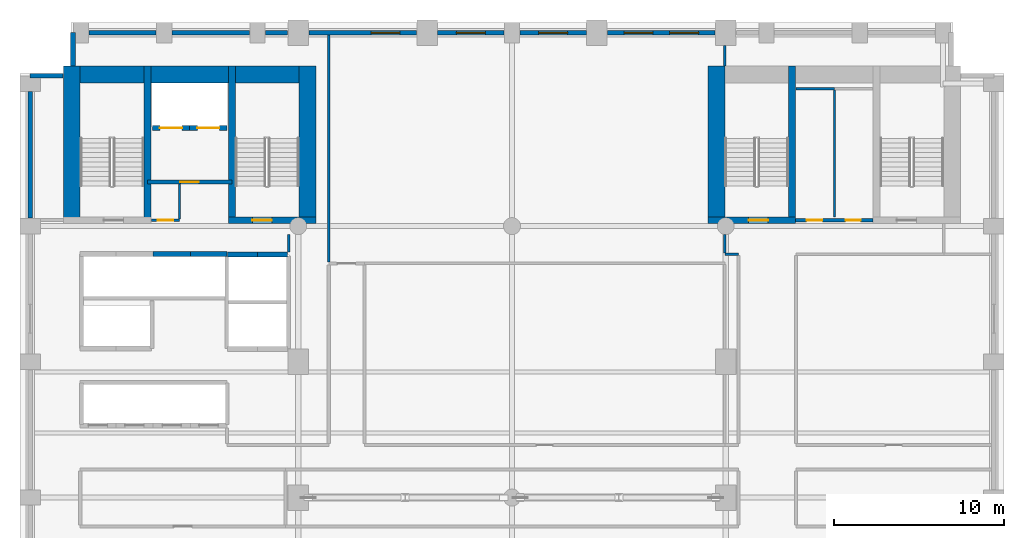
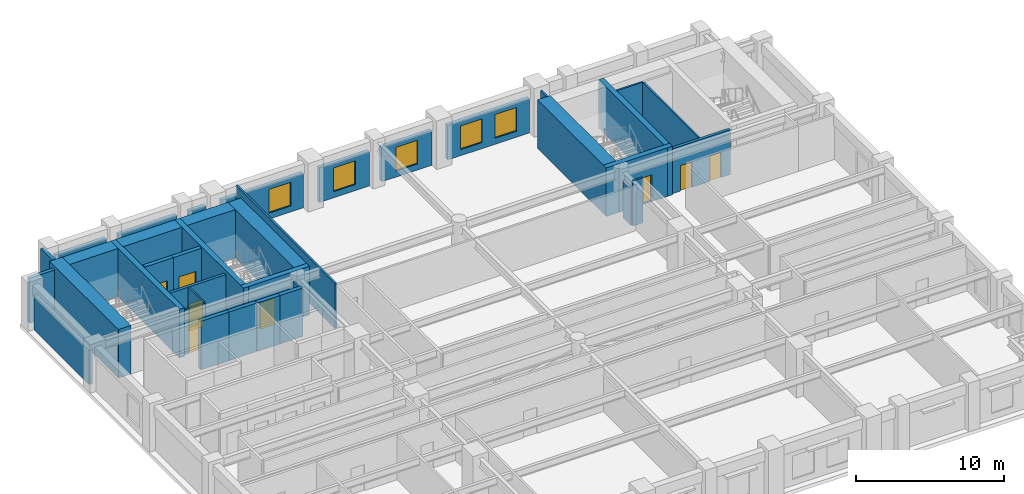
# One storey, part 7 of 11: 36 walls, 8 doors, 5 windows, 13 openings.
"""IFC4 building model written with IfcOpenShell, lengths in metres."""

from ifc_helpers import new_model, si_unit, direction, frame, frame_2d, origin, place, context, subcontext, project, spatial, rectangle, extrude, material, layer, layer_set, type_object, element, fill, save


model = new_model("IFC4")

# Units and contexts
model_context = context("Model", 3, precision=1e-05, world=origin(), true_north=direction((0.0, 1.0)))
body_context = subcontext(model_context, "Body", "Model", "MODEL_VIEW")
ifc_project = project(units=[si_unit("LENGTHUNIT", "METRE"), si_unit("AREAUNIT", "SQUARE_METRE"), si_unit("VOLUMEUNIT", "CUBIC_METRE"), si_unit("PLANEANGLEUNIT", "RADIAN"), si_unit("MASSUNIT", "GRAM", prefix="KILO")], contexts=[model_context])

# Site, building, storey
site_placement = place(None, origin())
site = spatial("IfcSite", under=ifc_project, at=site_placement, CompositionType="ELEMENT")
building_placement = place(site_placement, origin())
building = spatial("IfcBuilding", under=site, at=building_placement, Name="Sulina Concourse Tower", CompositionType="ELEMENT")
storey_placement = place(building_placement, frame((0.0, 0.0, 46.60009765625)))
storey = spatial("IfcBuildingStorey", under=building, at=storey_placement, Name="L11", CompositionType="ELEMENT", Elevation=46.60009765625)

# Walls
ifc_material_1 = material(Name="Concrete C50/60", Category="concrete")
ifc_layer_1 = layer(ifc_material_1, 0.300048828125)
ifc_layer_set_1 = layer_set([ifc_layer_1], Name="Concrete C50/60")
wall_type_1 = type_object("IfcWallType", Name="Core Lift Hoistway Wall 300mm", PredefinedType="SOLIDWALL", material=ifc_layer_set_1)
for number, where, z_axis, x_axis, name in (
    (1, (12.219970703125, 32.320068359375, 0.0), (0.0, 0.0, 1.0), (1.0, 0.0, 0.0), "L11 hoistway enclosure wall LP-07"),
    (2, (14.0, 32.320068359375, 0.0), (0.0, 0.0, 1.0), (1.0, 0.0, 0.0), "L11 hoistway enclosure wall LP-08"),
):
    element("IfcWall", number, at=place(storey_placement, frame(where, z_axis=z_axis, x_axis=x_axis)), inside=storey, type_object=wall_type_1, Name=name, PredefinedType="SOLIDWALL", context=body_context, shape_type="SweptSolid", body=[
        extrude(rectangle(XDim=1.780029296875, YDim=0.300048828125, at=frame_2d((0.89013671875, 0.0))), origin(), (0.0, 0.0, 1.0), 4.0),
    ])
wall_1_placement = place(storey_placement, frame((7.85009765625, 32.35009765625, 0.0), z_axis=(0.0, 0.0, 1.0), x_axis=(1.0, 0.0, 0.0)))
element("IfcWall", 3, at=wall_1_placement, inside=storey, type_object=wall_type_1, Name="L11 hoistway enclosure wall LP-11", PredefinedType="SOLIDWALL", context=body_context, shape_type="SweptSolid", body=[
    extrude(rectangle(XDim=2.199951171875, YDim=0.300048828125, at=frame_2d((1.10009765625, 0.0))), origin(), (0.0, 0.0, 1.0), 4.0),
])
wall_2_placement = place(storey_placement, frame((10.050048828125, 32.35009765625, 0.0), z_axis=(0.0, 0.0, 1.0), x_axis=(1.0, 0.0, 0.0)))
element("IfcWall", 4, at=wall_2_placement, inside=storey, type_object=wall_type_1, Name="L11 hoistway enclosure wall LP-12", PredefinedType="SOLIDWALL", context=body_context, shape_type="SweptSolid", body=[
    extrude(rectangle(XDim=2.14990234375, YDim=0.300048828125, at=frame_2d((1.074951171875, 0.0))), origin(), (0.0, 0.0, 1.0), 4.0),
])

# Wall, opening, door
wall_3_placement = place(storey_placement, frame((10.0, 39.780029296875, 0.0), z_axis=(0.0, 0.0, 1.0), x_axis=(-1.0, 0.0, 0.0)))
wall_3 = element("IfcWall", 5, at=wall_3_placement, inside=storey, type_object=wall_type_1, Name="L11 hoistway enclosure wall FFL-1", PredefinedType="SOLIDWALL", context=body_context, shape_type="SweptSolid", body=[
    extrude(rectangle(XDim=2.199951171875, YDim=0.300048828125, at=frame_2d((1.10009765625, 0.0))), origin(), (0.0, 0.0, 1.0), 4.0),
])
opening_1_placement = place(wall_3_placement, frame((0.449951171875, 0.0, 0.0)))
opening_1 = element("IfcOpeningElement", 6, at=opening_1_placement, cuts=wall_3, Name="Opening LD-02", PredefinedType="OPENING", context=body_context, shape_type="SweptSolid", body=[
    extrude(rectangle(XDim=1.300048828125, YDim=2.25, at=frame_2d((0.64990234375, 1.125))), frame((0.0, 0.159912109375, 0.0), z_axis=(0.0, -1.0, 0.0), x_axis=(1.0, 0.0, 0.0)), (0.0, 0.0, 1.0), 0.320068359375),
])
ifc_material_2 = material(Name="Stainless steel lift landing door", Category="steel")
ifc_layer_2 = layer(ifc_material_2, 0.050048828125)
ifc_layer_set_2 = layer_set([ifc_layer_2], Name="Stainless steel lift landing door")
door_type_1 = type_object("IfcDoorType", Name="Firefighting Lift Sliding Landing Door 1300x2250", OperationType="SLIDING_TO_RIGHT", PredefinedType="DOOR", material=ifc_layer_set_2)
door_1_placement = place(opening_1_placement, origin())
door_1 = element("IfcDoor", 7, at=door_1_placement, inside=storey, type_object=door_type_1, Name="L11 lift landing sliding door FFL-1", OperationType="SLIDING_TO_LEFT", OverallHeight=2.25, OverallWidth=1.300048828125, PredefinedType="DOOR", context=body_context, shape_type="SweptSolid", body=[
    extrude(rectangle(XDim=1.300048828125, YDim=2.25, at=frame_2d((0.64990234375, 1.125))), frame((0.0, 0.02490234375, 0.0), z_axis=(0.0, -1.0, 0.0), x_axis=(1.0, 0.0, 0.0)), (0.0, 0.0, 1.0), 0.050048828125),
])
fill(opening_1, door_1)

wall_4_placement = place(storey_placement, frame((12.199951171875, 39.780029296875, 0.0), z_axis=(0.0, 0.0, 1.0), x_axis=(-1.0, 0.0, 0.0)))
wall_4 = element("IfcWall", 8, at=wall_4_placement, inside=storey, type_object=wall_type_1, Name="L11 hoistway enclosure wall FFL-2", PredefinedType="SOLIDWALL", context=body_context, shape_type="SweptSolid", body=[
    extrude(rectangle(XDim=2.199951171875, YDim=0.300048828125, at=frame_2d((1.10009765625, 0.0))), origin(), (0.0, 0.0, 1.0), 4.0),
])
opening_2_placement = place(wall_4_placement, frame((0.449951171875, 0.0, 0.0)))
opening_2 = element("IfcOpeningElement", 9, at=opening_2_placement, cuts=wall_4, Name="Opening LD-02", PredefinedType="OPENING", context=body_context, shape_type="SweptSolid", body=[
    extrude(rectangle(XDim=1.300048828125, YDim=2.25, at=frame_2d((0.64990234375, 1.125))), frame((0.0, 0.159912109375, 0.0), z_axis=(0.0, -1.0, 0.0), x_axis=(1.0, 0.0, 0.0)), (0.0, 0.0, 1.0), 0.320068359375),
])
door_2_placement = place(opening_2_placement, origin())
door_2 = element("IfcDoor", 10, at=door_2_placement, inside=storey, type_object=door_type_1, Name="L11 lift landing sliding door FFL-2", OperationType="SLIDING_TO_RIGHT", OverallHeight=2.25, OverallWidth=1.300048828125, PredefinedType="DOOR", context=body_context, shape_type="SweptSolid", body=[
    extrude(rectangle(XDim=1.300048828125, YDim=2.25, at=frame_2d((0.64990234375, 1.125))), frame((0.0, 0.02490234375, 0.0), z_axis=(0.0, -1.0, 0.0), x_axis=(1.0, 0.0, 0.0)), (0.0, 0.0, 1.0), 0.050048828125),
])
fill(opening_2, door_2)

ifc_material_3 = material(Name="Gypsum board on steel stud", Category="steel")
ifc_layer_3 = layer(ifc_material_3, 0.219970703125)
ifc_layer_set_3 = layer_set([ifc_layer_3], Name="Gypsum board on steel stud")
wall_type_2 = type_object("IfcWallType", Name="Fire-Rated Lobby & Compartment Wall 220mm", PredefinedType="PARTITIONING", material=ifc_layer_set_3)
wall_5_placement = place(storey_placement, frame((7.510009765625, 36.60009765625, 0.0), z_axis=(0.0, 0.0, 1.0), x_axis=(1.0, 0.0, 0.0)))
wall_5 = element("IfcWall", 11, at=wall_5_placement, inside=storey, type_object=wall_type_2, Name="L11 firefighting lobby south fire wall", PredefinedType="PARTITIONING", context=body_context, shape_type="SweptSolid", body=[
    extrude(rectangle(XDim=4.97998046875, YDim=0.219970703125, at=frame_2d((2.489990234375, 0.0))), origin(), (0.0, 0.0, 1.0), 3.699951171875),
])
opening_3_placement = place(wall_5_placement, frame((1.93994140625, 0.0, 0.0)))
opening_3 = element("IfcOpeningElement", 12, at=opening_3_placement, cuts=wall_5, Name="Opening DR-47", PredefinedType="OPENING", context=body_context, shape_type="SweptSolid", body=[
    extrude(rectangle(XDim=1.10009765625, YDim=2.199951171875, at=frame_2d((0.550048828125, 1.10009765625))), frame((0.0, 0.119873046875, 0.0), z_axis=(0.0, -1.0, 0.0), x_axis=(1.0, 0.0, 0.0)), (0.0, 0.0, 1.0), 0.239990234375),
])
ifc_material_4 = material(Name="Galvanised steel acoustic fire leaf", Category="steel")
ifc_layer_4 = layer(ifc_material_4, 0.054931640625)
ifc_layer_set_4 = layer_set([ifc_layer_4], Name="Galvanised steel acoustic fire leaf")
door_type_2 = type_object("IfcDoorType", Name="Firefighting Lobby Fire Door 1100x2200", OperationType="NOTDEFINED", PredefinedType="DOOR", material=ifc_layer_set_4)
door_3_placement = place(opening_3_placement, origin())
door_3 = element("IfcDoor", 13, at=door_3_placement, inside=storey, type_object=door_type_2, Name="L11 firefighting lobby fire door", OperationType="SINGLE_SWING_RIGHT", OverallHeight=2.199951171875, OverallWidth=1.10009765625, PredefinedType="DOOR", context=body_context, shape_type="SweptSolid", body=[
    extrude(rectangle(XDim=1.10009765625, YDim=2.199951171875, at=frame_2d((0.550048828125, 1.10009765625))), frame((0.0, 0.02490234375, 0.0), z_axis=(0.0, -1.0, 0.0), x_axis=(1.0, 0.0, 0.0)), (0.0, 0.0, 1.0), 0.050048828125),
])
fill(opening_3, door_3)

# Wall, openings, doors
wall_6_placement = place(storey_placement, frame((45.719970703125, 34.35009765625, 0.0), z_axis=(0.0, 0.0, 1.0), x_axis=(1.0, 0.0, 0.0)))
wall_6 = element("IfcWall", 14, at=wall_6_placement, inside=storey, type_object=wall_type_2, Name="L11 east core south lobby wall", PredefinedType="PARTITIONING", context=body_context, shape_type="SweptSolid", body=[
    extrude(rectangle(XDim=4.56005859375, YDim=0.219970703125, at=frame_2d((2.280029296875, 0.0))), origin(), (0.0, 0.0, 1.0), 3.699951171875),
])
opening_4_placement = place(wall_6_placement, frame((0.64990234375, 0.0, 0.0)))
opening_4 = element("IfcOpeningElement", 15, at=opening_4_placement, cuts=wall_6, Name="Opening DR-61", PredefinedType="OPENING", context=body_context, shape_type="SweptSolid", body=[
    extrude(rectangle(XDim=0.919921875, YDim=2.10009765625, at=frame_2d((0.4599609375, 1.050048828125))), frame((0.0, 0.119873046875, 0.0), z_axis=(0.0, -1.0, 0.0), x_axis=(1.0, 0.0, 0.0)), (0.0, 0.0, 1.0), 0.239990234375),
])
opening_5_placement = place(wall_6_placement, frame((2.949951171875, 0.0, 0.0)))
opening_5 = element("IfcOpeningElement", 16, at=opening_5_placement, cuts=wall_6, Name="Opening DR-38", PredefinedType="OPENING", context=body_context, shape_type="SweptSolid", body=[
    extrude(rectangle(XDim=0.8798828125, YDim=2.10009765625, at=frame_2d((0.43994140625, 1.050048828125))), frame((0.0, 0.119873046875, 0.0), z_axis=(0.0, -1.0, 0.0), x_axis=(1.0, 0.0, 0.0)), (0.0, 0.0, 1.0), 0.239990234375),
])
ifc_material_5 = material(Name="Oak-veneered fire door leaf")
ifc_layer_5 = layer(ifc_material_5, 0.050048828125)
ifc_layer_set_5 = layer_set([ifc_layer_5], Name="Oak-veneered fire door leaf")
door_type_3 = type_object("IfcDoorType", Name="Accessible WC Door 920x2100", OperationType="NOTDEFINED", PredefinedType="DOOR", material=ifc_layer_set_5)
door_4_placement = place(opening_4_placement, origin())
door_4 = element("IfcDoor", 17, at=door_4_placement, inside=storey, type_object=door_type_3, Name="L11 east core accessible wc door", OperationType="SINGLE_SWING_RIGHT", OverallHeight=2.10009765625, OverallWidth=0.919921875, PredefinedType="DOOR", context=body_context, shape_type="SweptSolid", body=[
    extrude(rectangle(XDim=0.919921875, YDim=2.10009765625, at=frame_2d((0.4599609375, 1.050048828125))), frame((0.0, 0.02490234375, 0.0), z_axis=(0.0, -1.0, 0.0), x_axis=(1.0, 0.0, 0.0)), (0.0, 0.0, 1.0), 0.050048828125),
])
fill(opening_4, door_4)
ifc_material_6 = material(Name="Galvanised steel acoustic fire leaf", Category="steel")
ifc_layer_6 = layer(ifc_material_6, 0.050048828125)
ifc_layer_set_6 = layer_set([ifc_layer_6], Name="Galvanised steel acoustic fire leaf")
door_type_4 = type_object("IfcDoorType", Name="Service Riser Fire Door 880x2100", OperationType="NOTDEFINED", PredefinedType="DOOR", material=ifc_layer_set_6)
door_5_placement = place(opening_5_placement, origin())
door_5 = element("IfcDoor", 18, at=door_5_placement, inside=storey, type_object=door_type_4, Name="L11 east core store door", OperationType="SINGLE_SWING_LEFT", OverallHeight=2.10009765625, OverallWidth=0.8798828125, PredefinedType="DOOR", context=body_context, shape_type="SweptSolid", body=[
    extrude(rectangle(XDim=0.8798828125, YDim=2.10009765625, at=frame_2d((0.43994140625, 1.050048828125))), frame((0.0, 0.02490234375, 0.0), z_axis=(0.0, -1.0, 0.0), x_axis=(1.0, 0.0, 0.0)), (0.0, 0.0, 1.0), 0.050048828125),
])
fill(opening_5, door_5)

# Walls
ifc_material_7 = material(Name="Gypsum board on steel stud", Category="steel")
ifc_layer_7 = layer(ifc_material_7, 0.14990234375)
ifc_layer_set_7 = layer_set([ifc_layer_7], Name="Gypsum board on steel stud")
wall_type_3 = type_object("IfcWallType", Name="Inter-Tenancy Acoustic Partition 150mm", PredefinedType="PARTITIONING", material=ifc_layer_set_7)
wall_7_placement = place(storey_placement, frame((41.550048828125, 32.35009765625, 0.0), z_axis=(0.0, 0.0, 1.0), x_axis=(1.0, 0.0, 0.0)))
element("IfcWall", 19, at=wall_7_placement, inside=storey, type_object=wall_type_3, Name="L11 interior partition 020", PredefinedType="PARTITIONING", context=body_context, shape_type="SweptSolid", body=[
    extrude(rectangle(XDim=0.800048828125, YDim=0.14990234375, at=frame_2d((0.39990234375, 0.0))), origin(), (0.0, 0.0, 1.0), 3.699951171875),
])
wall_8_placement = place(storey_placement, frame((15.85009765625, 32.469970703125, 0.0), z_axis=(0.0, 0.0, 1.0), x_axis=(0.0, 1.0, 0.0)))
element("IfcWall", 20, at=wall_8_placement, inside=storey, type_object=wall_type_3, Name="L11 interior partition 033", PredefinedType="PARTITIONING", context=body_context, shape_type="SweptSolid", body=[
    extrude(rectangle(XDim=1.030029296875, YDim=0.14990234375, at=frame_2d((0.51513671875, 0.0))), origin(), (0.0, 0.0, 1.0), 3.699951171875),
])
wall_9_placement = place(storey_placement, frame((18.199951171875, 31.889892578125, 0.0), z_axis=(0.0, 0.0, 1.0), x_axis=(0.0, 1.0, 0.0)))
element("IfcWall", 21, at=wall_9_placement, inside=storey, type_object=wall_type_3, Name="L11 interior partition 036", PredefinedType="PARTITIONING", context=body_context, shape_type="SweptSolid", body=[
    extrude(rectangle(XDim=13.3701171875, YDim=0.14990234375, at=frame_2d((6.68505859375, 0.0))), origin(), (0.0, 0.0, 1.0), 3.699951171875),
])
wall_10_placement = place(storey_placement, frame((41.550048828125, 32.425048828125, 0.0), z_axis=(0.0, 0.0, 1.0), x_axis=(0.0, 1.0, 0.0)))
element("IfcWall", 22, at=wall_10_placement, inside=storey, type_object=wall_type_3, Name="L11 interior partition 041", PredefinedType="PARTITIONING", context=body_context, shape_type="SweptSolid", body=[
    extrude(rectangle(XDim=1.074951171875, YDim=0.14990234375, at=frame_2d((0.53759765625, 0.0))), origin(), (0.0, 0.0, 1.0), 2.994873046875),
])
wall_11_placement = place(storey_placement, frame((41.550048828125, 43.429931640625, 0.0), z_axis=(0.0, 0.0, 1.0), x_axis=(0.0, 1.0, 0.0)))
element("IfcWall", 23, at=wall_11_placement, inside=storey, type_object=wall_type_3, Name="L11 interior partition 042", PredefinedType="PARTITIONING", context=body_context, shape_type="SweptSolid", body=[
    extrude(rectangle(XDim=1.219970703125, YDim=0.14990234375, at=frame_2d((0.60986328125, 0.0))), origin(), (0.0, 0.0, 1.0), 3.699951171875),
])

# Wall, opening, door
ifc_material_8 = material(Name="Concrete C60/75", Category="concrete")
ifc_layer_8 = layer(ifc_material_8, 0.39990234375)
ifc_layer_set_8 = layer_set([ifc_layer_8], Name="Concrete C60/75")
wall_type_4 = type_object("IfcWallType", Name="Protected Stair Core Shear Wall 400mm", PredefinedType="SHEAR", material=ifc_layer_set_8)
wall_12_placement = place(storey_placement, frame((12.2900390625, 34.35009765625, 0.0), z_axis=(0.0, 0.0, 1.0), x_axis=(1.0, 0.0, 0.0)))
wall_12 = element("IfcWall", 24, at=wall_12_placement, inside=storey, type_object=wall_type_4, Name="L11 west core shear wall CW-WS2", PredefinedType="SHEAR", context=body_context, shape_type="SweptSolid", body=[
    extrude(rectangle(XDim=5.159912109375, YDim=0.39990234375, at=frame_2d((2.580078125, 0.0))), origin(), (0.0, 0.0, 1.0), 4.0),
])
opening_6_placement = place(wall_12_placement, frame((1.39990234375, 0.0, 0.0)))
opening_6 = element("IfcOpeningElement", 25, at=opening_6_placement, cuts=wall_12, Name="Opening DR-60", PredefinedType="OPENING", context=body_context, shape_type="SweptSolid", body=[
    extrude(rectangle(XDim=1.14990234375, YDim=2.199951171875, at=frame_2d((0.574951171875, 1.10009765625))), frame((0.0, 0.2099609375, 0.0), z_axis=(0.0, -1.0, 0.0), x_axis=(1.0, 0.0, 0.0)), (0.0, 0.0, 1.0), 0.419921875),
])
ifc_material_9 = material(Name="Galvanised steel acoustic fire leaf", Category="steel")
ifc_layer_9 = layer(ifc_material_9, 0.054931640625)
ifc_layer_set_9 = layer_set([ifc_layer_9], Name="Galvanised steel acoustic fire leaf")
door_type_5 = type_object("IfcDoorType", Name="Protected Exit Stair Fire Door 1150x2200", OperationType="NOTDEFINED", PredefinedType="DOOR", material=ifc_layer_set_9)
door_6_placement = place(opening_6_placement, origin())
door_6 = element("IfcDoor", 26, at=door_6_placement, inside=storey, type_object=door_type_5, Name="L11 stair ST-2 lobby fire door", OperationType="SINGLE_SWING_LEFT", OverallHeight=2.199951171875, OverallWidth=1.14990234375, PredefinedType="DOOR", context=body_context, shape_type="SweptSolid", body=[
    extrude(rectangle(XDim=1.14990234375, YDim=2.199951171875, at=frame_2d((0.574951171875, 1.10009765625))), frame((0.0, 0.02490234375, 0.0), z_axis=(0.0, -1.0, 0.0), x_axis=(1.0, 0.0, 0.0)), (0.0, 0.0, 1.0), 0.050048828125),
])
fill(opening_6, door_6)

# Walls
for number, where, z_axis, x_axis, name in (
    (27, (7.510009765625, 34.14990234375, 0.0), (0.0, 0.0, 1.0), (0.0, 1.0, 0.0), "L11 west core shear wall SW-ST1"),
    (28, (12.489990234375, 34.14990234375, 0.0), (0.0, 0.0, 1.0), (0.0, 1.0, 0.0), "L11 west core shear wall SW-ST2"),
):
    element("IfcWall", number, at=place(storey_placement, frame(where, z_axis=z_axis, x_axis=x_axis)), inside=storey, type_object=wall_type_4, Name=name, PredefinedType="SHEAR", context=body_context, shape_type="SweptSolid", body=[
        extrude(rectangle(XDim=9.280029296875, YDim=0.39990234375, at=frame_2d((4.64013671875, 0.0))), origin(), (0.0, 0.0, 1.0), 4.0),
    ])

# Wall, opening, door
wall_13_placement = place(storey_placement, frame((40.550048828125, 34.35009765625, 0.0), z_axis=(0.0, 0.0, 1.0), x_axis=(1.0, 0.0, 0.0)))
wall_13 = element("IfcWall", 29, at=wall_13_placement, inside=storey, type_object=wall_type_4, Name="L11 east core shear wall CW-ES1", PredefinedType="SHEAR", context=body_context, shape_type="SweptSolid", body=[
    extrude(rectangle(XDim=5.159912109375, YDim=0.39990234375, at=frame_2d((2.580078125, 0.0))), origin(), (0.0, 0.0, 1.0), 4.0),
])
opening_7_placement = place(wall_13_placement, frame((2.39990234375, 0.0, 0.0)))
opening_7 = element("IfcOpeningElement", 30, at=opening_7_placement, cuts=wall_13, Name="Opening DR-60", PredefinedType="OPENING", context=body_context, shape_type="SweptSolid", body=[
    extrude(rectangle(XDim=1.14990234375, YDim=2.199951171875, at=frame_2d((0.574951171875, 1.10009765625))), frame((0.0, 0.2099609375, 0.0), z_axis=(0.0, -1.0, 0.0), x_axis=(1.0, 0.0, 0.0)), (0.0, 0.0, 1.0), 0.419921875),
])
door_7_placement = place(opening_7_placement, origin())
door_7 = element("IfcDoor", 31, at=door_7_placement, inside=storey, type_object=door_type_5, Name="L11 stair ST-3 south lobby fire door", OperationType="SINGLE_SWING_LEFT", OverallHeight=2.199951171875, OverallWidth=1.14990234375, PredefinedType="DOOR", context=body_context, shape_type="SweptSolid", body=[
    extrude(rectangle(XDim=1.14990234375, YDim=2.199951171875, at=frame_2d((0.574951171875, 1.10009765625))), frame((0.0, 0.02490234375, 0.0), z_axis=(0.0, -1.0, 0.0), x_axis=(1.0, 0.0, 0.0)), (0.0, 0.0, 1.0), 0.050048828125),
])
fill(opening_7, door_7)

# Walls
wall_14_placement = place(storey_placement, frame((45.510009765625, 34.14990234375, 0.0), z_axis=(0.0, 0.0, 1.0), x_axis=(0.0, 1.0, 0.0)))
element("IfcWall", 32, at=wall_14_placement, inside=storey, type_object=wall_type_4, Name="L11 east core shear wall SW-ST3", PredefinedType="SHEAR", context=body_context, shape_type="SweptSolid", body=[
    extrude(rectangle(XDim=9.280029296875, YDim=0.39990234375, at=frame_2d((4.64013671875, 0.0))), origin(), (0.0, 0.0, 1.0), 4.0),
])
ifc_material_10 = material(Name="Concrete C80/95", Category="concrete")
ifc_layer_10 = layer(ifc_material_10, 1.0)
ifc_layer_set_10 = layer_set([ifc_layer_10], Name="Concrete C80/95")
wall_type_5 = type_object("IfcWallType", Name="Rear Core Shear Wall 1000mm", PredefinedType="SHEAR", material=ifc_layer_set_10)
wall_15_placement = place(storey_placement, frame((2.550048828125, 42.929931640625, 0.0), z_axis=(0.0, 0.0, 1.0), x_axis=(1.0, 0.0, 0.0)))
element("IfcWall", 33, at=wall_15_placement, inside=storey, type_object=wall_type_5, Name="L11 west core shear wall CW-WN", PredefinedType="SHEAR", context=body_context, shape_type="SweptSolid", body=[
    extrude(rectangle(XDim=14.89990234375, YDim=1.0, at=frame_2d((7.449951171875, 0.0))), origin(), (0.0, 0.0, 1.0), 4.0),
])
for number, where, z_axis, x_axis, name in (
    (34, (3.050048828125, 34.14990234375, 0.0), (0.0, 0.0, 1.0), (0.0, 1.0, 0.0), "L11 west core shear wall CW-WW"),
    (35, (16.949951171875, 34.14990234375, 0.0), (0.0, 0.0, 1.0), (0.0, 1.0, 0.0), "L11 west core shear wall CW-WE"),
    (36, (41.050048828125, 34.14990234375, 0.0), (0.0, 0.0, 1.0), (0.0, 1.0, 0.0), "L11 east core shear wall CW-EW"),
):
    element("IfcWall", number, at=place(storey_placement, frame(where, z_axis=z_axis, x_axis=x_axis)), inside=storey, type_object=wall_type_5, Name=name, PredefinedType="SHEAR", context=body_context, shape_type="SweptSolid", body=[
        extrude(rectangle(XDim=9.280029296875, YDim=1.0, at=frame_2d((4.64013671875, 0.0))), origin(), (0.0, 0.0, 1.0), 4.0),
    ])
ifc_material_11 = material(Name="Precast concrete C50/60", Category="concrete")
ifc_layer_11 = layer(ifc_material_11, 0.280029296875)
ifc_layer_set_11 = layer_set([ifc_layer_11], Name="Precast concrete C50/60")
wall_type_6 = type_object("IfcWallType", Name="Typical Precast Masonry-Frame Facade Wall 280mm", PredefinedType="SOLIDWALL", material=ifc_layer_set_11)
wall_16_placement = place(storey_placement, frame((0.60009765625, 34.469970703125, 0.0), z_axis=(0.0, 0.0, 1.0), x_axis=(0.0, 1.0, 0.0)))
element("IfcWall", 37, at=wall_16_placement, inside=storey, type_object=wall_type_6, Name="L11 exterior precast wall W5", PredefinedType="SOLIDWALL", context=body_context, shape_type="SweptSolid", body=[
    extrude(rectangle(XDim=7.4599609375, YDim=0.280029296875, at=frame_2d((3.72998046875, 0.0))), origin(), (0.0, 0.0, 1.0), 2.849853515625),
])
wall_17_placement = place(storey_placement, frame((4.070068359375, 45.39990234375, 0.0), z_axis=(0.0, 0.0, 1.0), x_axis=(1.0, 0.0, 0.0)))
element("IfcWall", 38, at=wall_17_placement, inside=storey, type_object=wall_type_6, Name="L11 exterior precast wall N1", PredefinedType="SOLIDWALL", context=body_context, shape_type="SweptSolid", body=[
    extrude(rectangle(XDim=3.9599609375, YDim=0.280029296875, at=frame_2d((1.97998046875, 0.0))), origin(), (0.0, 0.0, 1.0), 2.849853515625),
])
wall_18_placement = place(storey_placement, frame((8.969970703125, 45.39990234375, 0.0), z_axis=(0.0, 0.0, 1.0), x_axis=(1.0, 0.0, 0.0)))
element("IfcWall", 39, at=wall_18_placement, inside=storey, type_object=wall_type_6, Name="L11 exterior precast wall N2", PredefinedType="SOLIDWALL", context=body_context, shape_type="SweptSolid", body=[
    extrude(rectangle(XDim=4.56005859375, YDim=0.280029296875, at=frame_2d((2.280029296875, 0.0))), origin(), (0.0, 0.0, 1.0), 2.849853515625),
])
wall_19_placement = place(storey_placement, frame((14.469970703125, 45.39990234375, 0.0), z_axis=(0.0, 0.0, 1.0), x_axis=(1.0, 0.0, 0.0)))
element("IfcWall", 40, at=wall_19_placement, inside=storey, type_object=wall_type_6, Name="L11 exterior precast wall N3", PredefinedType="SOLIDWALL", context=body_context, shape_type="SweptSolid", body=[
    extrude(rectangle(XDim=1.31005859375, YDim=0.280029296875, at=frame_2d((0.655029296875, 0.0))), origin(), (0.0, 0.0, 1.0), 2.849853515625),
])

# Wall, opening, window
wall_20_placement = place(storey_placement, frame((17.02001953125, 45.39990234375, 0.0), z_axis=(0.0, 0.0, 1.0), x_axis=(1.0, 0.0, 0.0)))
wall_20 = element("IfcWall", 41, at=wall_20_placement, inside=storey, type_object=wall_type_6, Name="L11 exterior precast wall N4", PredefinedType="SOLIDWALL", context=body_context, shape_type="SweptSolid", body=[
    extrude(rectangle(XDim=6.35986328125, YDim=0.280029296875, at=frame_2d((3.179931640625, 0.0))), origin(), (0.0, 0.0, 1.0), 2.849853515625),
])
opening_8_placement = place(wall_20_placement, frame((3.67333984375, 0.0, 0.5)))
opening_8 = element("IfcOpeningElement", 42, at=opening_8_placement, cuts=wall_20, Name="Opening WN-66", PredefinedType="OPENING", context=body_context, shape_type="SweptSolid", body=[
    extrude(rectangle(XDim=1.699951171875, YDim=1.949951171875, at=frame_2d((0.85009765625, 0.97509765625))), frame((0.0, 0.14990234375, 0.0), z_axis=(0.0, -1.0, 0.0), x_axis=(1.0, 0.0, 0.0)), (0.0, 0.0, 1.0), 0.300048828125),
])
ifc_material_12 = material(Name="Low-E solar double glazing in bronze aluminium", Category="aluminium")
window_type = type_object("IfcWindowType", Name="Recessed Spandrel Window 1700x1950", PartitioningType="SINGLE_PANEL", PredefinedType="WINDOW", material=ifc_material_12)
window_1_placement = place(opening_8_placement, origin())
window_1 = element("IfcWindow", 43, at=window_1_placement, inside=storey, type_object=window_type, Name="L11 punched window N4-1", OverallHeight=1.949951171875, OverallWidth=1.699951171875, PartitioningType="SINGLE_PANEL", PredefinedType="WINDOW", context=body_context, shape_type="SweptSolid", body=[
    extrude(rectangle(XDim=1.699951171875, YDim=1.949951171875, at=frame_2d((0.85009765625, 0.97509765625))), frame((0.0, 0.030029296875, 0.0), z_axis=(0.0, -1.0, 0.0), x_axis=(1.0, 0.0, 0.0)), (0.0, 0.0, 1.0), 0.06005859375),
])
fill(opening_8, window_1)

wall_21_placement = place(storey_placement, frame((24.6201171875, 45.39990234375, 0.0), z_axis=(0.0, 0.0, 1.0), x_axis=(1.0, 0.0, 0.0)))
wall_21 = element("IfcWall", 44, at=wall_21_placement, inside=storey, type_object=wall_type_6, Name="L11 exterior precast wall N5", PredefinedType="SOLIDWALL", context=body_context, shape_type="SweptSolid", body=[
    extrude(rectangle(XDim=3.909912109375, YDim=0.280029296875, at=frame_2d((1.955078125, 0.0))), origin(), (0.0, 0.0, 1.0), 2.849853515625),
])
opening_9_placement = place(wall_21_placement, frame((1.10498046875, 0.0, 0.5)))
opening_9 = element("IfcOpeningElement", 45, at=opening_9_placement, cuts=wall_21, Name="Opening WN-66", PredefinedType="OPENING", context=body_context, shape_type="SweptSolid", body=[
    extrude(rectangle(XDim=1.699951171875, YDim=1.949951171875, at=frame_2d((0.85009765625, 0.97509765625))), frame((0.0, 0.14990234375, 0.0), z_axis=(0.0, -1.0, 0.0), x_axis=(1.0, 0.0, 0.0)), (0.0, 0.0, 1.0), 0.300048828125),
])
window_2_placement = place(opening_9_placement, origin())
window_2 = element("IfcWindow", 46, at=window_2_placement, inside=storey, type_object=window_type, Name="L11 punched window N5-1", OverallHeight=1.949951171875, OverallWidth=1.699951171875, PartitioningType="SINGLE_PANEL", PredefinedType="WINDOW", context=body_context, shape_type="SweptSolid", body=[
    extrude(rectangle(XDim=1.699951171875, YDim=1.949951171875, at=frame_2d((0.85009765625, 0.97509765625))), frame((0.0, 0.030029296875, 0.0), z_axis=(0.0, -1.0, 0.0), x_axis=(1.0, 0.0, 0.0)), (0.0, 0.0, 1.0), 0.06005859375),
])
fill(opening_9, window_2)

wall_22_placement = place(storey_placement, frame((29.469970703125, 45.39990234375, 0.0), z_axis=(0.0, 0.0, 1.0), x_axis=(1.0, 0.0, 0.0)))
wall_22 = element("IfcWall", 47, at=wall_22_placement, inside=storey, type_object=wall_type_6, Name="L11 exterior precast wall N6", PredefinedType="SOLIDWALL", context=body_context, shape_type="SweptSolid", body=[
    extrude(rectangle(XDim=3.909912109375, YDim=0.280029296875, at=frame_2d((1.955078125, 0.0))), origin(), (0.0, 0.0, 1.0), 2.849853515625),
])
opening_10_placement = place(wall_22_placement, frame((1.10498046875, 0.0, 0.5)))
opening_10 = element("IfcOpeningElement", 48, at=opening_10_placement, cuts=wall_22, Name="Opening WN-66", PredefinedType="OPENING", context=body_context, shape_type="SweptSolid", body=[
    extrude(rectangle(XDim=1.699951171875, YDim=1.949951171875, at=frame_2d((0.85009765625, 0.97509765625))), frame((0.0, 0.14990234375, 0.0), z_axis=(0.0, -1.0, 0.0), x_axis=(1.0, 0.0, 0.0)), (0.0, 0.0, 1.0), 0.300048828125),
])
window_3_placement = place(opening_10_placement, origin())
window_3 = element("IfcWindow", 49, at=window_3_placement, inside=storey, type_object=window_type, Name="L11 punched window N6-1", OverallHeight=1.949951171875, OverallWidth=1.699951171875, PartitioningType="SINGLE_PANEL", PredefinedType="WINDOW", context=body_context, shape_type="SweptSolid", body=[
    extrude(rectangle(XDim=1.699951171875, YDim=1.949951171875, at=frame_2d((0.85009765625, 0.97509765625))), frame((0.0, 0.030029296875, 0.0), z_axis=(0.0, -1.0, 0.0), x_axis=(1.0, 0.0, 0.0)), (0.0, 0.0, 1.0), 0.06005859375),
])
fill(opening_10, window_3)

# Wall, openings, windows
wall_23_placement = place(storey_placement, frame((34.6201171875, 45.39990234375, 0.0), z_axis=(0.0, 0.0, 1.0), x_axis=(1.0, 0.0, 0.0)))
wall_23 = element("IfcWall", 50, at=wall_23_placement, inside=storey, type_object=wall_type_6, Name="L11 exterior precast wall N7", PredefinedType="SOLIDWALL", context=body_context, shape_type="SweptSolid", body=[
    extrude(rectangle(XDim=6.35986328125, YDim=0.280029296875, at=frame_2d((3.179931640625, 0.0))), origin(), (0.0, 0.0, 1.0), 2.849853515625),
])
opening_11_placement = place(wall_23_placement, frame((0.98681640625, 0.0, 0.5)))
opening_11 = element("IfcOpeningElement", 51, at=opening_11_placement, cuts=wall_23, Name="Opening WN-66", PredefinedType="OPENING", context=body_context, shape_type="SweptSolid", body=[
    extrude(rectangle(XDim=1.699951171875, YDim=1.949951171875, at=frame_2d((0.85009765625, 0.97509765625))), frame((0.0, 0.14990234375, 0.0), z_axis=(0.0, -1.0, 0.0), x_axis=(1.0, 0.0, 0.0)), (0.0, 0.0, 1.0), 0.300048828125),
])
opening_12_placement = place(wall_23_placement, frame((3.67333984375, 0.0, 0.5)))
opening_12 = element("IfcOpeningElement", 52, at=opening_12_placement, cuts=wall_23, Name="Opening WN-66", PredefinedType="OPENING", context=body_context, shape_type="SweptSolid", body=[
    extrude(rectangle(XDim=1.699951171875, YDim=1.949951171875, at=frame_2d((0.85009765625, 0.97509765625))), frame((0.0, 0.14990234375, 0.0), z_axis=(0.0, -1.0, 0.0), x_axis=(1.0, 0.0, 0.0)), (0.0, 0.0, 1.0), 0.300048828125),
])
window_4_placement = place(opening_11_placement, origin())
window_4 = element("IfcWindow", 53, at=window_4_placement, inside=storey, type_object=window_type, Name="L11 punched window N7-1", OverallHeight=1.949951171875, OverallWidth=1.699951171875, PartitioningType="SINGLE_PANEL", PredefinedType="WINDOW", context=body_context, shape_type="SweptSolid", body=[
    extrude(rectangle(XDim=1.699951171875, YDim=1.949951171875, at=frame_2d((0.85009765625, 0.97509765625))), frame((0.0, 0.030029296875, 0.0), z_axis=(0.0, -1.0, 0.0), x_axis=(1.0, 0.0, 0.0)), (0.0, 0.0, 1.0), 0.06005859375),
])
fill(opening_11, window_4)
window_5_placement = place(opening_12_placement, origin())
window_5 = element("IfcWindow", 54, at=window_5_placement, inside=storey, type_object=window_type, Name="L11 punched window N7-2", OverallHeight=1.949951171875, OverallWidth=1.699951171875, PartitioningType="SINGLE_PANEL", PredefinedType="WINDOW", context=body_context, shape_type="SweptSolid", body=[
    extrude(rectangle(XDim=1.699951171875, YDim=1.949951171875, at=frame_2d((0.85009765625, 0.97509765625))), frame((0.0, 0.030029296875, 0.0), z_axis=(0.0, -1.0, 0.0), x_axis=(1.0, 0.0, 0.0)), (0.0, 0.0, 1.0), 0.06005859375),
])
fill(opening_12, window_5)

# Walls
wall_24_placement = place(storey_placement, frame((0.60009765625, 42.8701171875, 0.0), z_axis=(0.0, 0.0, 1.0), x_axis=(1.0, 0.0, 0.0)))
element("IfcWall", 55, at=wall_24_placement, inside=storey, type_object=wall_type_6, Name="L11 exterior precast wall CNW1", PredefinedType="SOLIDWALL", context=body_context, shape_type="SweptSolid", body=[
    extrude(rectangle(XDim=1.94482421875, YDim=0.280029296875, at=frame_2d((0.972412109375, 0.0))), origin(), (0.0, 0.0, 1.0), 3.699951171875),
])
wall_25_placement = place(storey_placement, frame((3.1298828125, 43.43505859375, 0.0), z_axis=(0.0, 0.0, 1.0), x_axis=(0.0, 1.0, 0.0)))
element("IfcWall", 56, at=wall_25_placement, inside=storey, type_object=wall_type_6, Name="L11 exterior precast wall CNW2", PredefinedType="SOLIDWALL", context=body_context, shape_type="SweptSolid", body=[
    extrude(rectangle(XDim=1.96484375, YDim=0.280029296875, at=frame_2d((0.982421875, 0.0))), origin(), (0.0, 0.0, 1.0), 3.699951171875),
])

# Wall, opening, door
ifc_material_13 = material(Name="Gypsum board on steel stud", Category="steel")
ifc_layer_12 = layer(ifc_material_13, 0.125)
ifc_layer_set_12 = layer_set([ifc_layer_12], Name="Gypsum board on steel stud")
wall_type_7 = type_object("IfcWallType", Name="Wet-Area Moisture-Resistant Partition 125mm", PredefinedType="PARTITIONING", material=ifc_layer_set_12)
wall_26_placement = place(storey_placement, frame((7.75, 34.35009765625, 0.0), z_axis=(0.0, 0.0, 1.0), x_axis=(1.0, 0.0, 0.0)))
wall_26 = element("IfcWall", 57, at=wall_26_placement, inside=storey, type_object=wall_type_7, Name="L11 interior partition 024", PredefinedType="PARTITIONING", context=body_context, shape_type="SweptSolid", body=[
    extrude(rectangle(XDim=1.64990234375, YDim=0.125, at=frame_2d((0.824951171875, 0.0))), origin(), (0.0, 0.0, 1.0), 3.699951171875),
])
opening_13_placement = place(wall_26_placement, frame((0.364990234375, 0.0, 0.0)))
opening_13 = element("IfcOpeningElement", 58, at=opening_13_placement, cuts=wall_26, Name="Opening DR-61", PredefinedType="OPENING", context=body_context, shape_type="SweptSolid", body=[
    extrude(rectangle(XDim=0.919921875, YDim=2.10009765625, at=frame_2d((0.4599609375, 1.050048828125))), frame((0.0, 0.072509765625, 0.0), z_axis=(0.0, -1.0, 0.0), x_axis=(1.0, 0.0, 0.0)), (0.0, 0.0, 1.0), 0.14501953125),
])
door_8_placement = place(opening_13_placement, origin())
door_8 = element("IfcDoor", 59, at=door_8_placement, inside=storey, type_object=door_type_3, Name="L11 interior door L11-WC-ACC", OperationType="SINGLE_SWING_LEFT", OverallHeight=2.10009765625, OverallWidth=0.919921875, PredefinedType="DOOR", context=body_context, shape_type="SweptSolid", body=[
    extrude(rectangle(XDim=0.919921875, YDim=2.10009765625, at=frame_2d((0.4599609375, 1.050048828125))), frame((0.0, 0.02490234375, 0.0), z_axis=(0.0, -1.0, 0.0), x_axis=(1.0, 0.0, 0.0)), (0.0, 0.0, 1.0), 0.050048828125),
])
fill(opening_13, door_8)

# Walls
wall_27_placement = place(storey_placement, frame((45.75, 42.10009765625, 0.0), z_axis=(0.0, 0.0, 1.0), x_axis=(1.0, 0.0, 0.0)))
element("IfcWall", 60, at=wall_27_placement, inside=storey, type_object=wall_type_7, Name="L11 interior partition 025", PredefinedType="PARTITIONING", context=body_context, shape_type="SweptSolid", body=[
    extrude(rectangle(XDim=2.25, YDim=0.125, at=frame_2d((1.125, 0.0))), origin(), (0.0, 0.0, 1.0), 3.699951171875),
])
wall_28_placement = place(storey_placement, frame((9.39990234375, 34.41259765625, 0.0), z_axis=(0.0, 0.0, 1.0), x_axis=(0.0, 1.0, 0.0)))
element("IfcWall", 61, at=wall_28_placement, inside=storey, type_object=wall_type_7, Name="L11 interior partition 029", PredefinedType="PARTITIONING", context=body_context, shape_type="SweptSolid", body=[
    extrude(rectangle(XDim=2.077392578125, YDim=0.125, at=frame_2d((1.03857421875, 0.0))), origin(), (0.0, 0.0, 1.0), 3.699951171875),
])
wall_29_placement = place(storey_placement, frame((48.0, 34.550048828125, 0.0), z_axis=(0.0, 0.0, 1.0), x_axis=(0.0, 1.0, 0.0)))
element("IfcWall", 62, at=wall_29_placement, inside=storey, type_object=wall_type_7, Name="L11 interior partition 049", PredefinedType="PARTITIONING", context=body_context, shape_type="SweptSolid", body=[
    extrude(rectangle(XDim=7.474853515625, YDim=0.125, at=frame_2d((3.7373046875, 0.0))), origin(), (0.0, 0.0, 1.0), 3.699951171875),
])

save(model, "model.ifc")
